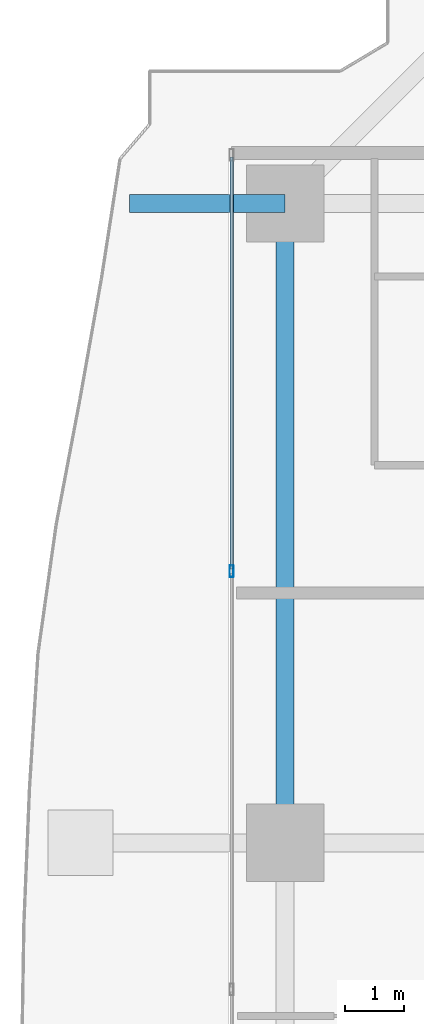
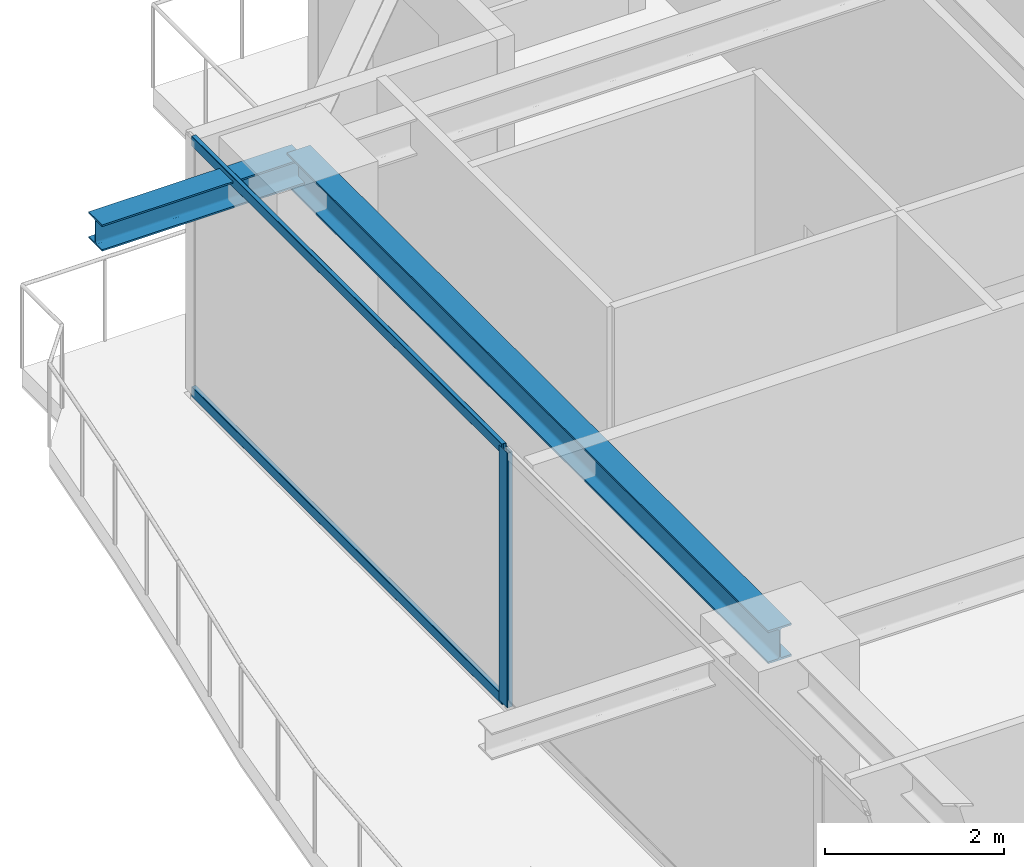
# One storey, part 17 of 37: 3 members, 2 beams, 1 element without a shape of its own.
"""IFC4 building model written with IfcOpenShell, lengths in metres."""

from ifc_helpers import new_model, si_unit, direction, frame, origin, origin_2d, place, context, subcontext, project, spatial, hollow_rectangle, i_section, extrude, source, transform, mapped, material, layer, layer_set, material_profile, profile_set, type_object, element, aggregate, save


model = new_model("IFC4")

# Units and contexts
model_context = context("Model", 3, precision=1e-05, world=origin(), true_north=direction((0.0, 1.0)))
body_context = subcontext(model_context, "Body", "Model", "MODEL_VIEW")
ifc_project = project(units=[si_unit("LENGTHUNIT", "METRE"), si_unit("AREAUNIT", "SQUARE_METRE"), si_unit("VOLUMEUNIT", "CUBIC_METRE"), si_unit("PLANEANGLEUNIT", "RADIAN"), si_unit("MASSUNIT", "GRAM", prefix="KILO")], contexts=[model_context])

# Site, building, storey
site_placement = place(None, origin())
site = spatial("IfcSite", under=ifc_project, at=site_placement, CompositionType="ELEMENT")
building_placement = place(site_placement, origin())
building = spatial("IfcBuilding", under=site, at=building_placement, Name="Serunith Strait Residences", CompositionType="ELEMENT")
storey_placement = place(building_placement, frame((0.0, 0.0, 138.89990234375)))
storey = spatial("IfcBuildingStorey", under=building, at=storey_placement, Name="L34", CompositionType="ELEMENT", Elevation=138.89990234375)

# Beams
ifc_material_1 = material(Name="Steel S355J2", Category="steel")
ifc_material_profile_1 = material_profile(ifc_material_1, i_section(OverallWidth=0.300048828125, OverallDepth=0.449951171875, WebThickness=0.013916015625, FlangeThickness=0.02587890625, FilletRadius=0.027099609375, at=origin_2d()), Name="HEB 450")
ifc_profile_set_1 = profile_set([ifc_material_profile_1], Name="Steel S355J2")
beam_type_1 = type_object("IfcBeamType", Name="BM-HEB450", PredefinedType="BEAM", material=ifc_profile_set_1)
shared_shape_1 = source(origin(), body_context, "Body", "SweptSolid", [
    extrude(i_section(OverallWidth=0.300048828125, OverallDepth=0.449951171875, WebThickness=0.013916015625, FlangeThickness=0.02587890625, FilletRadius=0.027099609375, at=origin_2d()), origin(), (0.0, 0.0, 1.0), 10.75),
])
beam_1_placement = place(storey_placement, frame((8.699951171875, 40.14990234375, 3.26220703125), z_axis=(0.0, -1.0, 0.0), x_axis=(1.0, 0.0, 0.0)))
element("IfcBeam", 1, at=beam_1_placement, inside=storey, type_object=beam_type_1, Name="L34 Perimeter Ring Beam 13", PredefinedType="BEAM", context=body_context, shape_type="MappedRepresentation", body=[
    mapped(shared_shape_1, transform((0.0, 0.0, 0.0), scale=1.0)),
])
ifc_material_profile_2 = material_profile(ifc_material_1, i_section(OverallWidth=0.300048828125, OverallDepth=0.360107421875, WebThickness=0.012451171875, FlangeThickness=0.0224609375, FilletRadius=0.027099609375, at=origin_2d()), Name="HEB 360")
ifc_profile_set_2 = profile_set([ifc_material_profile_2], Name="Steel S355J2")
beam_type_2 = type_object("IfcBeamType", Name="BM-HEB360", PredefinedType="BEAM", material=ifc_profile_set_2)
shared_shape_2 = source(origin(), body_context, "Body", "SweptSolid", [
    extrude(i_section(OverallWidth=0.300048828125, OverallDepth=0.360107421875, WebThickness=0.012451171875, FlangeThickness=0.0224609375, FilletRadius=0.027099609375, at=origin_2d()), origin(), (0.0, 0.0, 1.0), 2.619873046875),
])
beam_2_placement = place(storey_placement, frame((8.699951171875, 40.14990234375, 3.277099609375), z_axis=(-1.0, 0.0, 0.0), x_axis=(0.0, -1.0, 0.0)))
element("IfcBeam", 2, at=beam_2_placement, inside=storey, type_object=beam_type_2, Name="L35 Cantilevered Balcony Rib TC-W4", PredefinedType="BEAM", context=body_context, shape_type="MappedRepresentation", body=[
    mapped(shared_shape_2, transform((0.0, 0.0, 0.0), scale=1.0)),
])

# Curtain wall, members
ifc_material_2 = material(Name="Pale-Champagne Anodised Aluminium", Category="aluminium")
ifc_layer = layer(ifc_material_2, 0.199951171875, Name="Pale-Champagne Anodised Aluminium")
ifc_layer_set = layer_set([ifc_layer], Name="Pale-Champagne Anodised Aluminium")
curtain_wall_type = type_object("IfcCurtainWallType", Name="CW-SYS2", PredefinedType="NOTDEFINED", material=ifc_layer_set)
curtain_wall_placement = place(storey_placement, origin())
curtain_wall = element("IfcCurtainWall", 3, at=curtain_wall_placement, inside=storey, type_object=curtain_wall_type, Name="L34 W Unitised Fritted Curtain Wall", PredefinedType="NOTDEFINED")
ifc_material_profile_3 = material_profile(ifc_material_2, hollow_rectangle(XDim=0.070068359375, YDim=0.199951171875, WallThickness=0.00390625, InnerFilletRadius=0.006103515625, OuterFilletRadius=0.010009765625, at=origin_2d()), Name="ALU 200x70x4")
ifc_profile_set_3 = profile_set([ifc_material_profile_3], Name="Pale-Champagne Anodised Aluminium")
member_type_1 = type_object("IfcMemberType", Name="CW-SYS2-MULL", PredefinedType="MULLION", material=ifc_profile_set_3)
shared_shape_3 = source(origin(), body_context, "Body", "SweptSolid", [
    extrude(hollow_rectangle(XDim=0.070068359375, YDim=0.199951171875, WallThickness=0.00390625, InnerFilletRadius=0.006103515625, OuterFilletRadius=0.010009765625, at=origin_2d()), origin(), (0.0, 0.0, 1.0), 3.47509765625),
])
member_1_placement = place(storey_placement, frame((7.800048828125, 33.966552734375, 0.0), z_axis=(0.0, 0.0, 1.0), x_axis=(1.0, 0.0, 0.0)))
member_1 = element("IfcMember", 4, at=member_1_placement, type_object=member_type_1, Name="CW-2 mullion 2", PredefinedType="MULLION", context=body_context, shape_type="MappedRepresentation", body=[
    mapped(shared_shape_3, transform((0.0, 0.0, 0.0), scale=1.0)),
])
ifc_material_profile_4 = material_profile(ifc_material_2, hollow_rectangle(XDim=0.06005859375, YDim=0.139892578125, WallThickness=0.00341796875, InnerFilletRadius=0.00537109375, OuterFilletRadius=0.0087890625, at=origin_2d()), Name="ALU 140x60x3.5")
ifc_profile_set_4 = profile_set([ifc_material_profile_4], Name="Pale-Champagne Anodised Aluminium")
member_type_2 = type_object("IfcMemberType", Name="CW-SYS2-TRAN", PredefinedType="USERDEFINED", material=ifc_profile_set_4)
shared_shape_4 = source(origin(), body_context, "Body", "SweptSolid", [
    extrude(hollow_rectangle(XDim=0.06005859375, YDim=0.139892578125, WallThickness=0.00341796875, InnerFilletRadius=0.00537109375, OuterFilletRadius=0.0087890625, at=origin_2d()), origin(), (0.0, 0.0, 1.0), 6.92822265625),
])
member_2_placement = place(storey_placement, frame((7.800048828125, 40.929931640625, 0.030029296875), z_axis=(0.0, -1.0, 0.0), x_axis=(1.0, 0.0, 0.0)))
member_2 = element("IfcMember", 5, at=member_2_placement, type_object=member_type_2, Name="CW-2 transom 1.1", ObjectType="TRANSOM", PredefinedType="USERDEFINED", context=body_context, shape_type="MappedRepresentation", body=[
    mapped(shared_shape_4, transform((0.0, 0.0, 0.0), scale=1.0)),
])
member_3_placement = place(storey_placement, frame((7.800048828125, 40.929931640625, 3.445068359375), z_axis=(0.0, -1.0, 0.0), x_axis=(1.0, 0.0, 0.0)))
member_3 = element("IfcMember", 6, at=member_3_placement, type_object=member_type_2, Name="CW-2 transom 1.2", ObjectType="TRANSOM", PredefinedType="USERDEFINED", context=body_context, shape_type="MappedRepresentation", body=[
    mapped(shared_shape_4, transform((0.0, 0.0, 0.0), scale=1.0)),
])
aggregate(curtain_wall, [member_1, member_2, member_3])

save(model, "model.ifc")
